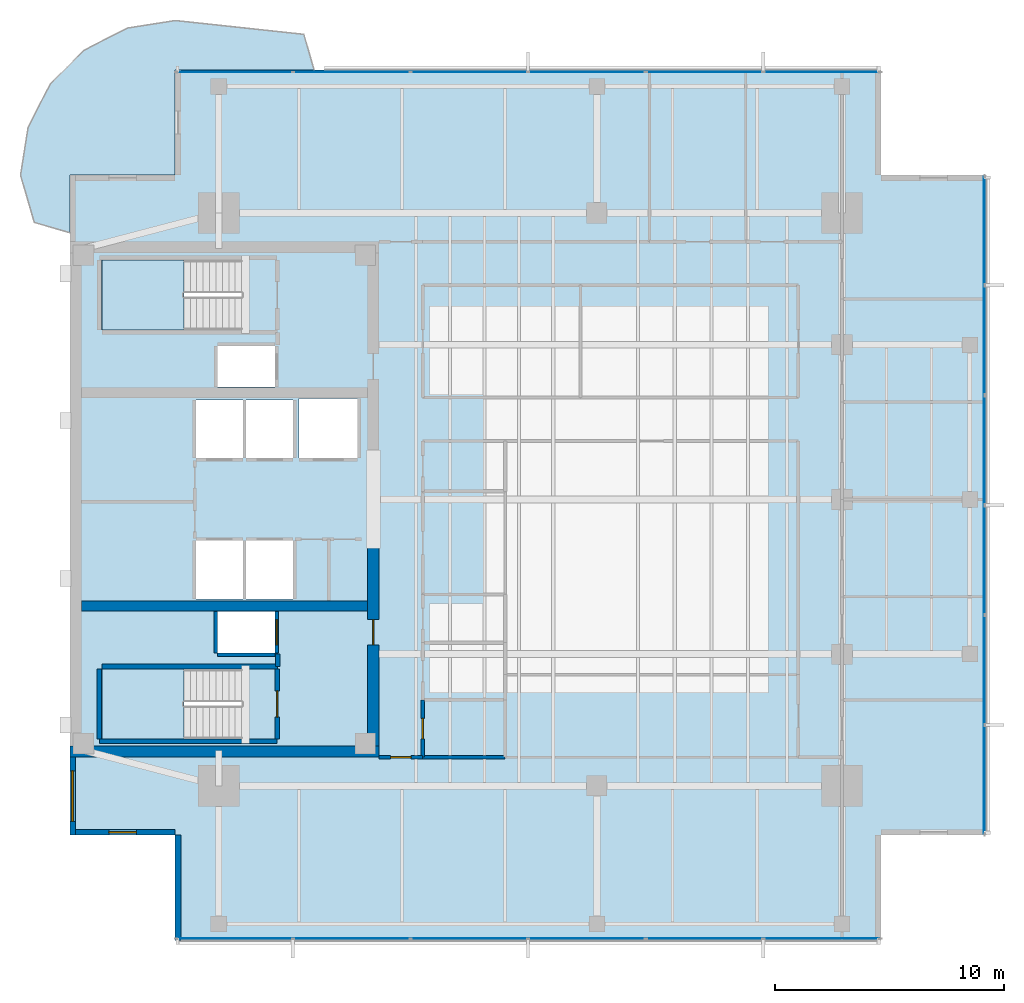
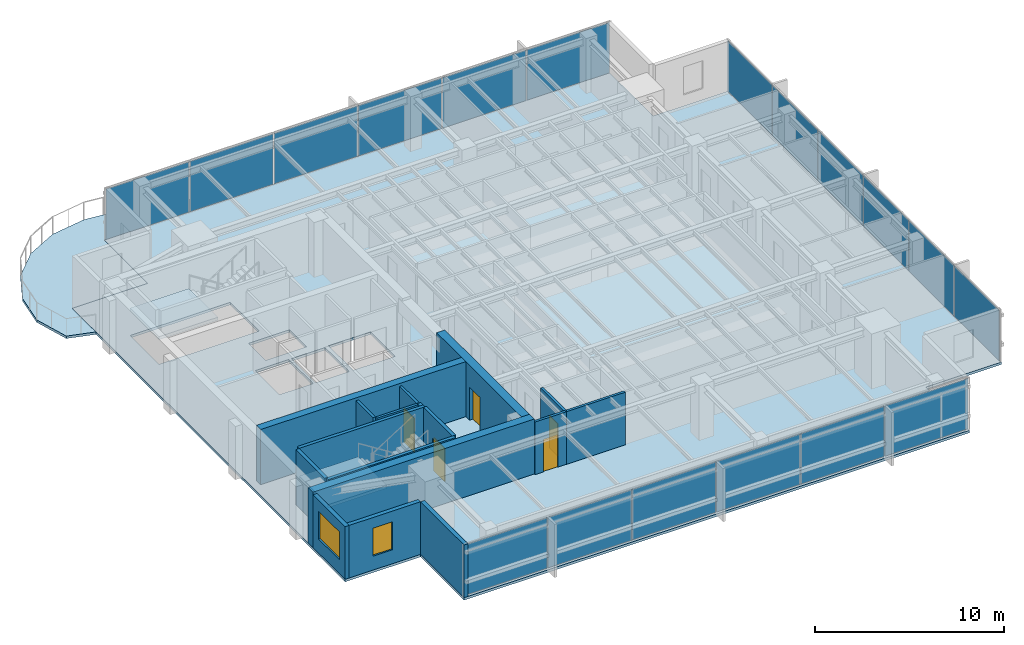
# One storey, part 6 of 13: 18 plates, 17 walls, 5 doors, 4 slabs, 2 windows, 7 openings, 5 elements without a shape of their own.
"""IFC4 building model written with IfcOpenShell, lengths in metres."""

import ifcopenshell
import ifcopenshell.guid

model = None  # the IFC model being written
_history = None  # IfcOwnerHistory: only IFC2X3 demands one
_inside = {}  # id of a spatial element -> (the spatial element, [elements in it])
_under = {}  # id of a project, library or spatial element -> (it, [spatial elements below it])
_declared = {}  # id of a project -> (the project, [libraries it declares])
_typed = {}  # id of a type object -> (the type object, [elements of that type])
_made_of = {}  # id of a material, layer set ... -> (it, [elements and type objects made of it])


def new_model(schema):
    """Start an empty IFC model of exactly this schema.

    Asked for "IFC4X3", IfcOpenShell would pick the latest addendum, in which some entities
    have other attributes; the version numbers below select the first issue.
    IFC2X3 requires an IfcOwnerHistory on every rooted entity: one is made here for all.
    """
    global model, _history
    if schema == "IFC4X3":
        model = ifcopenshell.file(schema_version=(4, 3, 0, 0))
    else:
        model = ifcopenshell.file(schema=schema)
    _inside.clear()
    _under.clear()
    _declared.clear()
    _typed.clear()
    _made_of.clear()
    _history = None
    if model.schema == "IFC2X3":
        org = make("IfcOrganization", Name="unknown")
        user = make(
            "IfcPersonAndOrganization",
            ThePerson=make("IfcPerson", FamilyName="unknown"),
            TheOrganization=org,
        )
        app = make(
            "IfcApplication",
            ApplicationDeveloper=org,
            Version="unknown",
            ApplicationFullName="unknown",
            ApplicationIdentifier="unknown",
        )
        _history = make(
            "IfcOwnerHistory",
            OwningUser=user,
            OwningApplication=app,
            ChangeAction="ADDED",
            CreationDate=0,
        )
    return model


def make(cls, **values):
    """One entity of the class cls with the attributes given. An attribute that is None is left unset."""
    return model.create_entity(
        cls, **{name: value for name, value in values.items() if value is not None}
    )


def rooted(cls, **values):
    """An entity with a GlobalId (a new one), such as an element, a storey or a relation."""
    return make(cls, GlobalId=ifcopenshell.guid.new(), OwnerHistory=_history, **values)


def si_unit(unit_type, name, prefix=None):
    """IfcSIUnit, for example si_unit("LENGTHUNIT", "METRE", prefix="MILLI")."""
    return make("IfcSIUnit", UnitType=unit_type, Prefix=prefix, Name=name)


def assignment(units):
    """IfcUnitAssignment: the units of a project."""
    return None if units is None else make("IfcUnitAssignment", Units=units)


def point(xyz):
    """IfcCartesianPoint."""
    return None if xyz is None else make("IfcCartesianPoint", Coordinates=xyz)


def direction(xyz):
    """IfcDirection."""
    return None if xyz is None else make("IfcDirection", DirectionRatios=xyz)


def frame(location, z_axis=None, x_axis=None):
    """IfcAxis2Placement3D, a coordinate frame: its origin and axes. An axis left out is left unset."""
    return make(
        "IfcAxis2Placement3D",
        Location=point(location),
        Axis=direction(z_axis),
        RefDirection=direction(x_axis),
    )


def frame_2d(location, x_axis=None):
    """IfcAxis2Placement2D, a coordinate frame in the plane: its origin and x axis."""
    return make(
        "IfcAxis2Placement2D", Location=point(location), RefDirection=direction(x_axis)
    )


def origin():
    """The frame at (0, 0, 0) with its axes left unset."""
    return frame((0.0, 0.0, 0.0))


def origin_2d():
    """The frame at (0, 0) in the plane with its x axis left unset."""
    return frame_2d((0.0, 0.0))


def place(relative_to, where):
    """IfcLocalPlacement: puts the frame where relative to a parent placement (None: the world)."""
    return make(
        "IfcLocalPlacement", PlacementRelTo=relative_to, RelativePlacement=where
    )


def context(
    kind, dimensions, precision=None, world=None, true_north=None, identifier=None
):
    """IfcGeometricRepresentationContext, for example the 3D "Model" context."""
    return make(
        "IfcGeometricRepresentationContext",
        ContextIdentifier=identifier,
        ContextType=kind,
        CoordinateSpaceDimension=dimensions,
        Precision=precision,
        WorldCoordinateSystem=world,
        TrueNorth=true_north,
    )


def subcontext(parent, identifier, kind, view, scale=None):
    """IfcGeometricRepresentationSubContext, for example "Body" below "Model"."""
    return make(
        "IfcGeometricRepresentationSubContext",
        ContextIdentifier=identifier,
        ContextType=kind,
        ParentContext=parent,
        TargetScale=scale,
        TargetView=view,
    )


def project(units=None, contexts=None):
    """IfcProject with its units and contexts."""
    return rooted(
        "IfcProject",
        Name="project",
        RepresentationContexts=contexts,
        UnitsInContext=assignment(units),
    )


def spatial(cls, under=None, at=None, **own):
    """A site, building, storey or space (cls), placed at a placement, below another one or the project."""
    s = rooted(cls, ObjectPlacement=at, **own)
    if under is not None:
        _under.setdefault(under.id(), (under, []))[1].append(s)
    return s


def polyline(points):
    """IfcPolyline through the points."""
    return make("IfcPolyline", Points=[point(p) for p in points])


def profile(cls, at=None, kind="AREA", **sizes):
    """A parametric profile (cls). Its sizes go by their IFC names, for example OverallWidth=200.0."""
    return make(cls, ProfileType=kind, Position=at, **sizes)


def rectangle(**sizes):
    """IfcRectangleProfileDef."""
    return profile("IfcRectangleProfileDef", **sizes)


def outline(outer, holes=None, kind="AREA"):
    """IfcArbitraryClosedProfileDef: a profile drawn as a closed curve; with holes, ...WithVoids."""
    if holes is None:
        return make("IfcArbitraryClosedProfileDef", ProfileType=kind, OuterCurve=outer)
    return make(
        "IfcArbitraryProfileDefWithVoids",
        ProfileType=kind,
        OuterCurve=outer,
        InnerCurves=holes,
    )


def extrude(swept, where, along, depth):
    """IfcExtrudedAreaSolid: the profile swept, set in the frame where, extruded along a direction by depth."""
    return make(
        "IfcExtrudedAreaSolid",
        SweptArea=swept,
        Position=where,
        ExtrudedDirection=direction(along),
        Depth=depth,
    )


def shape(context_of_items, identifier, shape_type, items):
    """IfcShapeRepresentation: the items that make up one representation, for example the "Body"."""
    return make(
        "IfcShapeRepresentation",
        ContextOfItems=context_of_items,
        RepresentationIdentifier=identifier,
        RepresentationType=shape_type,
        Items=items,
    )


def material(Name=None, Category=None):
    """IfcMaterial."""
    return make("IfcMaterial", Name=Name, Category=Category)


def layer(
    of_material, thickness, ventilated=None, Name=None, Category=None, Priority=None
):
    """IfcMaterialLayer: one layer of a wall or slab, of a material (None: an air gap)."""
    return make(
        "IfcMaterialLayer",
        Material=of_material,
        LayerThickness=thickness,
        IsVentilated=ventilated,
        Name=Name,
        Category=Category,
        Priority=Priority,
    )


def layer_set(layers, Name=None):
    """IfcMaterialLayerSet."""
    return make("IfcMaterialLayerSet", MaterialLayers=layers, LayerSetName=Name)


def made_of(thing, what):
    """Note that an element or type object is made of a material, layer set ...; save() writes the relation."""
    if what is not None:
        _made_of.setdefault(what.id(), (what, []))[1].append(thing)
    return thing


def type_object(cls, material=None, **own):
    """A type object (cls), such as IfcWallType, which elements share."""
    return made_of(rooted(cls, **own), material)


def element(
    cls,
    number,
    at=None,
    inside=None,
    cuts=None,
    type_object=None,
    material=None,
    context=None,
    identifier="Body",
    shape_type=None,
    held_by="IfcProductDefinitionShape",
    body=None,
    shapes=None,
    **own,
):
    """One element of the class cls, such as IfcWall. Its Tag is "e" and its number.

    at: its placement. inside: the storey or other place that contains it. cuts: it is an
    opening in that element (IfcRelVoidsElement). A single representation is given by context,
    identifier, shape_type and body (its items); several are given by shapes. held_by: the class
    of the entity that holds the representations. save() writes the other relations.
    """
    e = rooted(cls, Tag="e%d" % number, ObjectPlacement=at, **own)
    if body is not None:
        shapes = [shape(context, identifier, shape_type, body)]
    if shapes is not None:
        e.Representation = make(held_by, Representations=shapes)
    if inside is not None:
        _inside.setdefault(inside.id(), (inside, []))[1].append(e)
    if cuts is not None:
        rooted(
            "IfcRelVoidsElement", RelatingBuildingElement=cuts, RelatedOpeningElement=e
        )
    if type_object is not None:
        _typed.setdefault(type_object.id(), (type_object, []))[1].append(e)
    return made_of(e, material)


def fill(opening, filler):
    """IfcRelFillsElement: the door or window that sits in an opening."""
    return rooted(
        "IfcRelFillsElement",
        RelatingOpeningElement=opening,
        RelatedBuildingElement=filler,
    )


def aggregate(whole, parts):
    """IfcRelAggregates: a whole, such as a stair, and the parts it consists of."""
    return rooted("IfcRelAggregates", RelatingObject=whole, RelatedObjects=parts)


def save(model, path):
    """Write the relations noted so far, then the file.

    IfcRelAggregates (storeys below a building ...), IfcRelContainedInSpatialStructure (elements
    in a storey), IfcRelDefinesByType, IfcRelAssociatesMaterial and IfcRelDeclares: one each for
    every whole, place, type object, material and project.
    """
    for whole, parts in _under.values():
        aggregate(whole, parts)
    for where, things in _inside.values():
        rooted(
            "IfcRelContainedInSpatialStructure",
            RelatedElements=things,
            RelatingStructure=where,
        )
    for kind, things in _typed.values():
        rooted("IfcRelDefinesByType", RelatedObjects=things, RelatingType=kind)
    for what, things in _made_of.values():
        rooted("IfcRelAssociatesMaterial", RelatedObjects=things, RelatingMaterial=what)
    for by, libraries in _declared.values():
        rooted("IfcRelDeclares", RelatingContext=by, RelatedDefinitions=libraries)
    model.write(path)


model = new_model("IFC4")

# Units and contexts
model_context = context("Model", 3, precision=1e-05, world=origin(), true_north=direction((0.0, 1.0)))
body_context = subcontext(model_context, "Body", "Model", "MODEL_VIEW")
ifc_project = project(units=[si_unit("LENGTHUNIT", "METRE"), si_unit("AREAUNIT", "SQUARE_METRE"), si_unit("VOLUMEUNIT", "CUBIC_METRE"), si_unit("PLANEANGLEUNIT", "RADIAN"), si_unit("MASSUNIT", "GRAM", prefix="KILO")], contexts=[model_context])

# Site, building, storey
site_placement = place(None, origin())
site = spatial("IfcSite", under=ifc_project, at=site_placement, CompositionType="ELEMENT")
building_placement = place(site_placement, origin())
building = spatial("IfcBuilding", under=site, at=building_placement, Name="Kinhvarn Gate Tower", CompositionType="ELEMENT")
storey_placement = place(building_placement, frame((0.0, 0.0, 288.300048828125)))
storey = spatial("IfcBuildingStorey", under=building, at=storey_placement, Name="L77", CompositionType="ELEMENT", Elevation=288.300048828125)

# Curtain wall, plates
ifc_material_1 = material(Name="Anodised aluminium AW-6063", Category="aluminium")
ifc_layer_1 = layer(ifc_material_1, 0.179931640625)
ifc_layer_set_1 = layer_set([ifc_layer_1], Name="Anodised aluminium AW-6063")
curtain_wall_type = type_object("IfcCurtainWallType", Name="CW-SYS-3", PredefinedType="NOTDEFINED", material=ifc_layer_set_1)
curtain_wall_1_placement = place(storey_placement, origin())
curtain_wall_1 = element("IfcCurtainWall", 1, at=curtain_wall_1_placement, inside=storey, type_object=curtain_wall_type, Name="Curtain Wall CW3 (L77)", PredefinedType="NOTDEFINED")
ifc_material_2 = material(Name="Clear low-e double glazing", Category="glass")
ifc_layer_2 = layer(ifc_material_2, 0.031982421875)
ifc_layer_set_2 = layer_set([ifc_layer_2], Name="Clear low-e double glazing")
plate_type = type_object("IfcPlateType", Name="CW-PNL-VIS", PredefinedType="CURTAIN_PANEL", material=ifc_layer_set_2)
plate_1_placement = place(storey_placement, frame((11.682861328125, 6.090087890625, 0.070068359375), z_axis=(0.0, 0.0, 1.0), x_axis=(1.0, 0.0, 0.0)))
plate_1 = element("IfcPlate", 2, at=plate_1_placement, type_object=plate_type, Name="CW3 panel 1.1", PredefinedType="CURTAIN_PANEL", context=body_context, shape_type="SweptSolid", body=[
    extrude(rectangle(XDim=5.035888671875, YDim=0.031982421875, at=origin_2d()), origin(), (0.0, 0.0, 1.0), 3.25),
])
plate_2_placement = place(storey_placement, frame((16.800048828125, 6.090087890625, 0.070068359375), z_axis=(0.0, 0.0, 1.0), x_axis=(1.0, 0.0, 0.0)))
plate_2 = element("IfcPlate", 3, at=plate_2_placement, type_object=plate_type, Name="CW3 panel 2.1", PredefinedType="CURTAIN_PANEL", context=body_context, shape_type="SweptSolid", body=[
    extrude(rectangle(XDim=5.068359375, YDim=0.031982421875, at=origin_2d()), origin(), (0.0, 0.0, 1.0), 3.25),
])
plate_3_placement = place(storey_placement, frame((21.933349609375, 6.090087890625, 0.070068359375), z_axis=(0.0, 0.0, 1.0), x_axis=(1.0, 0.0, 0.0)))
plate_3 = element("IfcPlate", 4, at=plate_3_placement, type_object=plate_type, Name="CW3 panel 3.1", PredefinedType="CURTAIN_PANEL", context=body_context, shape_type="SweptSolid", body=[
    extrude(rectangle(XDim=5.068359375, YDim=0.031982421875, at=origin_2d()), origin(), (0.0, 0.0, 1.0), 3.25),
])
plate_4_placement = place(storey_placement, frame((27.066650390625, 6.090087890625, 0.070068359375), z_axis=(0.0, 0.0, 1.0), x_axis=(1.0, 0.0, 0.0)))
plate_4 = element("IfcPlate", 5, at=plate_4_placement, type_object=plate_type, Name="CW3 panel 4.1", PredefinedType="CURTAIN_PANEL", context=body_context, shape_type="SweptSolid", body=[
    extrude(rectangle(XDim=5.068359375, YDim=0.031982421875, at=origin_2d()), origin(), (0.0, 0.0, 1.0), 3.25),
])
plate_5_placement = place(storey_placement, frame((32.199951171875, 6.090087890625, 0.070068359375), z_axis=(0.0, 0.0, 1.0), x_axis=(1.0, 0.0, 0.0)))
plate_5 = element("IfcPlate", 6, at=plate_5_placement, type_object=plate_type, Name="CW3 panel 5.1", PredefinedType="CURTAIN_PANEL", context=body_context, shape_type="SweptSolid", body=[
    extrude(rectangle(XDim=5.068359375, YDim=0.031982421875, at=origin_2d()), origin(), (0.0, 0.0, 1.0), 3.25),
])
plate_6_placement = place(storey_placement, frame((37.317138671875, 6.090087890625, 0.070068359375), z_axis=(0.0, 0.0, 1.0), x_axis=(1.0, 0.0, 0.0)))
plate_6 = element("IfcPlate", 7, at=plate_6_placement, type_object=plate_type, Name="CW3 panel 6.1", PredefinedType="CURTAIN_PANEL", context=body_context, shape_type="SweptSolid", body=[
    extrude(rectangle(XDim=5.035888671875, YDim=0.031982421875, at=origin_2d()), origin(), (0.0, 0.0, 1.0), 3.25),
])
aggregate(curtain_wall_1, [plate_1, plate_2, plate_3, plate_4, plate_5, plate_6])

curtain_wall_2_placement = place(storey_placement, origin())
curtain_wall_2 = element("IfcCurtainWall", 8, at=curtain_wall_2_placement, inside=storey, type_object=curtain_wall_type, Name="Curtain Wall CW3 (L77)", PredefinedType="NOTDEFINED")
plate_7_placement = place(storey_placement, frame((37.317138671875, 43.909912109375, 0.070068359375), z_axis=(0.0, 0.0, 1.0), x_axis=(-1.0, 0.0, 0.0)))
plate_7 = element("IfcPlate", 9, at=plate_7_placement, type_object=plate_type, Name="CW3 panel 1.1", PredefinedType="CURTAIN_PANEL", context=body_context, shape_type="SweptSolid", body=[
    extrude(rectangle(XDim=5.035888671875, YDim=0.031982421875, at=origin_2d()), origin(), (0.0, 0.0, 1.0), 3.25),
])
plate_8_placement = place(storey_placement, frame((32.199951171875, 43.909912109375, 0.070068359375), z_axis=(0.0, 0.0, 1.0), x_axis=(-1.0, 0.0, 0.0)))
plate_8 = element("IfcPlate", 10, at=plate_8_placement, type_object=plate_type, Name="CW3 panel 2.1", PredefinedType="CURTAIN_PANEL", context=body_context, shape_type="SweptSolid", body=[
    extrude(rectangle(XDim=5.068359375, YDim=0.031982421875, at=origin_2d()), origin(), (0.0, 0.0, 1.0), 3.25),
])
plate_9_placement = place(storey_placement, frame((27.066650390625, 43.909912109375, 0.070068359375), z_axis=(0.0, 0.0, 1.0), x_axis=(-1.0, 0.0, 0.0)))
plate_9 = element("IfcPlate", 11, at=plate_9_placement, type_object=plate_type, Name="CW3 panel 3.1", PredefinedType="CURTAIN_PANEL", context=body_context, shape_type="SweptSolid", body=[
    extrude(rectangle(XDim=5.068359375, YDim=0.031982421875, at=origin_2d()), origin(), (0.0, 0.0, 1.0), 3.25),
])
plate_10_placement = place(storey_placement, frame((21.933349609375, 43.909912109375, 0.070068359375), z_axis=(0.0, 0.0, 1.0), x_axis=(-1.0, 0.0, 0.0)))
plate_10 = element("IfcPlate", 12, at=plate_10_placement, type_object=plate_type, Name="CW3 panel 4.1", PredefinedType="CURTAIN_PANEL", context=body_context, shape_type="SweptSolid", body=[
    extrude(rectangle(XDim=5.068359375, YDim=0.031982421875, at=origin_2d()), origin(), (0.0, 0.0, 1.0), 3.25),
])
plate_11_placement = place(storey_placement, frame((16.800048828125, 43.909912109375, 0.070068359375), z_axis=(0.0, 0.0, 1.0), x_axis=(-1.0, 0.0, 0.0)))
plate_11 = element("IfcPlate", 13, at=plate_11_placement, type_object=plate_type, Name="CW3 panel 5.1", PredefinedType="CURTAIN_PANEL", context=body_context, shape_type="SweptSolid", body=[
    extrude(rectangle(XDim=5.068359375, YDim=0.031982421875, at=origin_2d()), origin(), (0.0, 0.0, 1.0), 3.25),
])
plate_12_placement = place(storey_placement, frame((11.682861328125, 43.909912109375, 0.070068359375), z_axis=(0.0, 0.0, 1.0), x_axis=(-1.0, 0.0, 0.0)))
plate_12 = element("IfcPlate", 14, at=plate_12_placement, type_object=plate_type, Name="CW3 panel 6.1", PredefinedType="CURTAIN_PANEL", context=body_context, shape_type="SweptSolid", body=[
    extrude(rectangle(XDim=5.035888671875, YDim=0.031982421875, at=origin_2d()), origin(), (0.0, 0.0, 1.0), 3.25),
])
aggregate(curtain_wall_2, [plate_7, plate_8, plate_9, plate_10, plate_11, plate_12])

curtain_wall_3_placement = place(storey_placement, origin())
curtain_wall_3 = element("IfcCurtainWall", 15, at=curtain_wall_3_placement, inside=storey, type_object=curtain_wall_type, Name="Curtain Wall CW3 (L77)", PredefinedType="NOTDEFINED")
plate_13_placement = place(storey_placement, frame((44.409912109375, 13.016357421875, 0.070068359375), z_axis=(0.0, 0.0, 1.0), x_axis=(0.0, 1.0, 0.0)))
plate_13 = element("IfcPlate", 16, at=plate_13_placement, type_object=plate_type, Name="CW3 panel 1.1", PredefinedType="CURTAIN_PANEL", context=body_context, shape_type="SweptSolid", body=[
    extrude(rectangle(XDim=4.702392578125, YDim=0.031982421875, at=origin_2d()), origin(), (0.0, 0.0, 1.0), 3.25),
])
plate_14_placement = place(storey_placement, frame((44.409912109375, 17.800048828125, 0.070068359375), z_axis=(0.0, 0.0, 1.0), x_axis=(0.0, 1.0, 0.0)))
plate_14 = element("IfcPlate", 17, at=plate_14_placement, type_object=plate_type, Name="CW3 panel 2.1", PredefinedType="CURTAIN_PANEL", context=body_context, shape_type="SweptSolid", body=[
    extrude(rectangle(XDim=4.735107421875, YDim=0.031982421875, at=origin_2d()), origin(), (0.0, 0.0, 1.0), 3.25),
])
plate_15_placement = place(storey_placement, frame((44.409912109375, 22.60009765625, 0.070068359375), z_axis=(0.0, 0.0, 1.0), x_axis=(0.0, 1.0, 0.0)))
plate_15 = element("IfcPlate", 18, at=plate_15_placement, type_object=plate_type, Name="CW3 panel 3.1", PredefinedType="CURTAIN_PANEL", context=body_context, shape_type="SweptSolid", body=[
    extrude(rectangle(XDim=4.735107421875, YDim=0.031982421875, at=origin_2d()), origin(), (0.0, 0.0, 1.0), 3.25),
])
plate_16_placement = place(storey_placement, frame((44.409912109375, 27.39990234375, 0.070068359375), z_axis=(0.0, 0.0, 1.0), x_axis=(0.0, 1.0, 0.0)))
plate_16 = element("IfcPlate", 19, at=plate_16_placement, type_object=plate_type, Name="CW3 panel 4.1", PredefinedType="CURTAIN_PANEL", context=body_context, shape_type="SweptSolid", body=[
    extrude(rectangle(XDim=4.735107421875, YDim=0.031982421875, at=origin_2d()), origin(), (0.0, 0.0, 1.0), 3.25),
])
plate_17_placement = place(storey_placement, frame((44.409912109375, 32.199951171875, 0.070068359375), z_axis=(0.0, 0.0, 1.0), x_axis=(0.0, 1.0, 0.0)))
plate_17 = element("IfcPlate", 20, at=plate_17_placement, type_object=plate_type, Name="CW3 panel 5.1", PredefinedType="CURTAIN_PANEL", context=body_context, shape_type="SweptSolid", body=[
    extrude(rectangle(XDim=4.735107421875, YDim=0.031982421875, at=origin_2d()), origin(), (0.0, 0.0, 1.0), 3.25),
])
plate_18_placement = place(storey_placement, frame((44.409912109375, 36.983642578125, 0.070068359375), z_axis=(0.0, 0.0, 1.0), x_axis=(0.0, 1.0, 0.0)))
plate_18 = element("IfcPlate", 21, at=plate_18_placement, type_object=plate_type, Name="CW3 panel 6.1", PredefinedType="CURTAIN_PANEL", context=body_context, shape_type="SweptSolid", body=[
    extrude(rectangle(XDim=4.702392578125, YDim=0.031982421875, at=origin_2d()), origin(), (0.0, 0.0, 1.0), 3.25),
])
aggregate(curtain_wall_3, [plate_13, plate_14, plate_15, plate_16, plate_17, plate_18])

# Slabs
ifc_material_3 = material(Name="Precast white architectural concrete C40/50", Category="concrete")
ifc_layer_3 = layer(ifc_material_3, 0.159912109375)
ifc_layer_set_3 = layer_set([ifc_layer_3], Name="Precast white architectural concrete C40/50")
slab_type_1 = type_object("IfcSlabType", Name="SLB-BAL-160", PredefinedType="FLOOR", material=ifc_layer_set_3)
slab_1_placement = place(storey_placement, frame((0.0, 0.0, -0.16015625)))
element("IfcSlab", 22, at=slab_1_placement, inside=storey, type_object=slab_type_1, Name="S-Carve Curved Terrace Balcony Slab L77 (NW)", PredefinedType="FLOOR", context=body_context, shape_type="SweptSolid", body=[
    extrude(outline(polyline([(15.159912109375, 44.0), (14.7099609375, 45.548095703125), (9.10009765625, 46.14990234375), (7.01416015625, 45.819580078125), (5.13232421875, 44.86083984375), (3.63916015625, 43.36767578125), (2.680419921875, 41.48583984375), (2.35009765625, 39.39990234375), (2.951904296875, 37.341064453125), (4.5, 36.89111328125), (4.5, 39.39990234375), (9.10009765625, 39.39990234375), (9.10009765625, 44.0), (15.159912109375, 44.0)])), origin(), (0.0, 0.0, 1.0), 0.16015625),
])
ifc_material_4 = material(Name="Concrete C40/50", Category="concrete")
ifc_layer_4 = layer(ifc_material_4, 0.159912109375)
ifc_layer_set_4 = layer_set([ifc_layer_4], Name="Concrete C40/50")
slab_type_2 = type_object("IfcSlabType", Name="SLB-FLR-160", PredefinedType="FLOOR", material=ifc_layer_set_4)
slab_2_placement = place(storey_placement, frame((0.0, 0.0, -0.16015625)))
element("IfcSlab", 23, at=slab_2_placement, inside=storey, type_object=slab_type_2, Name="Suspended Floor Slab L77", PredefinedType="FLOOR", context=body_context, shape_type="SweptSolid", body=[
    extrude(outline(polyline([(9.10009765625, 6.0), (39.89990234375, 6.0), (39.89990234375, 10.60009765625), (44.5, 10.60009765625), (44.5, 39.39990234375), (39.89990234375, 39.39990234375), (39.89990234375, 44.0), (9.10009765625, 44.0), (9.10009765625, 39.39990234375), (4.5, 39.39990234375), (4.5, 10.60009765625), (9.10009765625, 10.60009765625), (9.10009765625, 6.0)]), holes=[polyline([(5.89990234375, 14.800048828125), (12.0, 14.800048828125), (12.0, 17.85009765625), (5.89990234375, 17.85009765625), (5.89990234375, 14.800048828125)]), polyline([(5.89990234375, 32.64990234375), (12.0, 32.64990234375), (12.0, 35.699951171875), (5.89990234375, 35.699951171875), (5.89990234375, 32.64990234375)]), polyline([(10.0, 20.89990234375), (12.050048828125, 20.89990234375), (12.050048828125, 23.449951171875), (10.0, 23.449951171875), (10.0, 20.89990234375)]), polyline([(12.199951171875, 20.89990234375), (14.25, 20.89990234375), (14.25, 23.449951171875), (12.199951171875, 23.449951171875), (12.199951171875, 20.89990234375)]), polyline([(10.0, 27.050048828125), (12.050048828125, 27.050048828125), (12.050048828125, 29.60009765625), (10.0, 29.60009765625), (10.0, 27.050048828125)]), polyline([(12.199951171875, 27.050048828125), (14.25, 27.050048828125), (14.25, 29.60009765625), (12.199951171875, 29.60009765625), (12.199951171875, 27.050048828125)]), polyline([(14.5, 27.050048828125), (17.050048828125, 27.050048828125), (17.050048828125, 29.64990234375), (14.5, 29.64990234375), (14.5, 27.050048828125)]), polyline([(10.949951171875, 18.550048828125), (13.449951171875, 18.550048828125), (13.449951171875, 20.35009765625), (10.949951171875, 20.35009765625), (10.949951171875, 18.550048828125)]), polyline([(10.949951171875, 30.14990234375), (13.449951171875, 30.14990234375), (13.449951171875, 31.949951171875), (10.949951171875, 31.949951171875), (10.949951171875, 30.14990234375)])]), origin(), (0.0, 0.0, 1.0), 0.16015625),
])

# Stair, slab
stair_type = type_object("IfcStairType", Name="STR-DLG-178", PredefinedType="HALF_TURN_STAIR", material=ifc_material_4)
stair_1_placement = place(storey_placement, origin())
stair_1 = element("IfcStair", 24, at=stair_1_placement, inside=storey, type_object=stair_type, Name="L77 Core Smokeproof Exit Stair ST1", PredefinedType="HALF_TURN_STAIR")
ifc_layer_5 = layer(ifc_material_4, 0.199951171875)
ifc_layer_set_5 = layer_set([ifc_layer_5], Name="Concrete C40/50")
slab_type_3 = type_object("IfcSlabType", Name="SLB-ST-LND", PredefinedType="LANDING", material=ifc_layer_set_5)
slab_3_placement = place(storey_placement, frame((0.0, 0.0, 1.574951171875)))
slab_3 = element("IfcSlab", 25, at=slab_3_placement, type_object=slab_type_3, Name="ST1 landing 1", PredefinedType="LANDING", context=body_context, shape_type="SweptSolid", body=[
    extrude(outline(polyline([(9.47998046875, 17.85009765625), (5.89990234375, 17.85009765625), (5.89990234375, 14.800048828125), (9.47998046875, 14.800048828125), (9.47998046875, 17.85009765625)])), origin(), (0.0, 0.0, 1.0), 0.199951171875),
])
aggregate(stair_1, [slab_3])

stair_2_placement = place(storey_placement, origin())
stair_2 = element("IfcStair", 26, at=stair_2_placement, inside=storey, type_object=stair_type, Name="L77 Core Smokeproof Exit Stair ST2", PredefinedType="HALF_TURN_STAIR")
slab_4_placement = place(storey_placement, frame((0.0, 0.0, 1.574951171875)))
slab_4 = element("IfcSlab", 27, at=slab_4_placement, type_object=slab_type_3, Name="ST2 landing 1", PredefinedType="LANDING", context=body_context, shape_type="SweptSolid", body=[
    extrude(outline(polyline([(9.47998046875, 35.699951171875), (5.89990234375, 35.699951171875), (5.89990234375, 32.64990234375), (9.47998046875, 32.64990234375), (9.47998046875, 35.699951171875)])), origin(), (0.0, 0.0, 1.0), 0.199951171875),
])
aggregate(stair_2, [slab_4])

# Walls
ifc_material_5 = material(Name="Concrete C50/60", Category="concrete")
ifc_layer_6 = layer(ifc_material_5, 0.449951171875)
ifc_layer_set_6 = layer_set([ifc_layer_6], Name="Concrete C50/60")
wall_type_1 = type_object("IfcWallType", Name="WL-CORE-450", PredefinedType="SHEAR", material=ifc_layer_set_6)
wall_1_placement = place(storey_placement, frame((5.0, 20.60009765625, 0.0), z_axis=(0.0, 0.0, 1.0), x_axis=(1.0, 0.0, 0.0)))
element("IfcWall", 28, at=wall_1_placement, inside=storey, type_object=wall_type_1, Name="Core South Spine Shear Wall L77 450 mm", PredefinedType="SHEAR", context=body_context, shape_type="SweptSolid", body=[
    extrude(rectangle(XDim=12.5, YDim=0.449951171875, at=frame_2d((6.25, 0.0))), origin(), (0.0, 0.0, 1.0), 3.550048828125),
])
ifc_layer_7 = layer(ifc_material_5, 0.5)
ifc_layer_set_7 = layer_set([ifc_layer_7], Name="Concrete C50/60")
wall_type_2 = type_object("IfcWallType", Name="WL-CORE-500", PredefinedType="SHEAR", material=ifc_layer_set_7)
wall_2_placement = place(storey_placement, frame((4.5, 14.25, 0.0), z_axis=(0.0, 0.0, 1.0), x_axis=(1.0, 0.0, 0.0)))
element("IfcWall", 29, at=wall_2_placement, inside=storey, type_object=wall_type_2, Name="Core South Shear Wall L77 500 mm", PredefinedType="SHEAR", context=body_context, shape_type="SweptSolid", body=[
    extrude(rectangle(XDim=13.5, YDim=0.5, at=frame_2d((6.75, 0.0))), origin(), (0.0, 0.0, 1.0), 3.550048828125),
])

# Wall, opening, door
wall_3_placement = place(storey_placement, frame((17.75, 14.5, 0.0), z_axis=(0.0, 0.0, 1.0), x_axis=(0.0, 1.0, 0.0)))
wall_3 = element("IfcWall", 30, at=wall_3_placement, inside=storey, type_object=wall_type_2, Name="Core East-South Shear Pier L77 500 mm", PredefinedType="SHEAR", context=body_context, shape_type="SweptSolid", body=[
    extrude(rectangle(XDim=8.949951171875, YDim=0.5, at=frame_2d((4.47509765625, 0.0))), origin(), (0.0, 0.0, 1.0), 3.550048828125),
])
opening_1_placement = place(wall_3_placement, frame((4.39990234375, 0.0, 0.0)))
opening_1 = element("IfcOpeningElement", 31, at=opening_1_placement, cuts=wall_3, Name="Opening FD-02", PredefinedType="OPENING", context=body_context, shape_type="SweptSolid", body=[
    extrude(rectangle(XDim=1.10009765625, YDim=2.14990234375, at=frame_2d((0.550048828125, 1.074951171875))), frame((0.0, 0.260009765625, 0.0), z_axis=(0.0, -1.0, 0.0), x_axis=(1.0, 0.0, 0.0)), (0.0, 0.0, 1.0), 0.52001953125),
])
door_type_1 = type_object("IfcDoorType", Name="DR-FD-1100", OperationType="NOTDEFINED", PredefinedType="DOOR", material=ifc_material_1)
door_1_placement = place(opening_1_placement, origin())
door_1 = element("IfcDoor", 32, at=door_1_placement, inside=storey, type_object=door_type_1, Name="Firefighting Lobby Core Door (L77)", OperationType="SINGLE_SWING_RIGHT", OverallHeight=2.14990234375, OverallWidth=1.10009765625, PredefinedType="DOOR", context=body_context, shape_type="SweptSolid", body=[
    extrude(rectangle(XDim=1.10009765625, YDim=2.14990234375, at=frame_2d((0.550048828125, 1.074951171875))), frame((0.0, 0.02490234375, 0.0), z_axis=(0.0, -1.0, 0.0), x_axis=(1.0, 0.0, 0.0)), (0.0, 0.0, 1.0), 0.050048828125),
])
fill(opening_1, door_1)

# Wall, opening, window
ifc_material_6 = material(Name="Fired architectural terracotta", Category="masonry")
ifc_layer_8 = layer(ifc_material_6, 0.25)
ifc_layer_set_8 = layer_set([ifc_layer_8], Name="Fired architectural terracotta")
wall_type_3 = type_object("IfcWallType", Name="WL-EXT-250", PredefinedType="SOLIDWALL", material=ifc_layer_set_8)
wall_4_placement = place(storey_placement, frame((4.625, 14.0, 0.0), z_axis=(0.0, 0.0, 1.0), x_axis=(0.0, -1.0, 0.0)))
wall_4 = element("IfcWall", 33, at=wall_4_placement, inside=storey, type_object=wall_type_3, Name="Exterior Solidwall Wall EW-250 (L77 West-South)", PredefinedType="SOLIDWALL", context=body_context, shape_type="SweptSolid", body=[
    extrude(rectangle(XDim=3.39990234375, YDim=0.25, at=frame_2d((1.699951171875, 0.0))), origin(), (0.0, 0.0, 1.0), 3.389892578125),
])
opening_2_placement = place(wall_4_placement, frame((0.60009765625, 0.0, 0.89990234375)))
opening_2 = element("IfcOpeningElement", 34, at=opening_2_placement, cuts=wall_4, Name="Opening WN-01", PredefinedType="OPENING", context=body_context, shape_type="SweptSolid", body=[
    extrude(rectangle(XDim=2.199951171875, YDim=1.800048828125, at=frame_2d((1.10009765625, 0.89990234375))), frame((0.0, 0.135009765625, 0.0), z_axis=(0.0, -1.0, 0.0), x_axis=(1.0, 0.0, 0.0)), (0.0, 0.0, 1.0), 0.27001953125),
])
window_type_1 = type_object("IfcWindowType", Name="WIN-RIB-2200", PartitioningType="SINGLE_PANEL", PredefinedType="WINDOW", material=ifc_material_2)
window_1_placement = place(opening_2_placement, origin())
window_1 = element("IfcWindow", 35, at=window_1_placement, inside=storey, type_object=window_type_1, Name="West Flank Double-Glazed Ribbon Window 2200x1800 mm (L77)", OverallHeight=1.800048828125, OverallWidth=2.199951171875, PartitioningType="SINGLE_PANEL", PredefinedType="WINDOW", context=body_context, shape_type="SweptSolid", body=[
    extrude(rectangle(XDim=2.199951171875, YDim=1.800048828125, at=frame_2d((1.10009765625, 0.89990234375))), frame((0.0, 0.030029296875, 0.0), z_axis=(0.0, -1.0, 0.0), x_axis=(1.0, 0.0, 0.0)), (0.0, 0.0, 1.0), 0.06005859375),
])
fill(opening_2, window_1)

wall_5_placement = place(storey_placement, frame((4.5, 10.72509765625, 0.0), z_axis=(0.0, 0.0, 1.0), x_axis=(1.0, 0.0, 0.0)))
wall_5 = element("IfcWall", 36, at=wall_5_placement, inside=storey, type_object=wall_type_3, Name="Exterior Solidwall Wall EW-250 (L77 SW-Notch-1)", PredefinedType="SOLIDWALL", context=body_context, shape_type="SweptSolid", body=[
    extrude(rectangle(XDim=4.60009765625, YDim=0.25, at=frame_2d((2.300048828125, 0.0))), origin(), (0.0, 0.0, 1.0), 3.389892578125),
])
opening_3_placement = place(wall_5_placement, frame((1.699951171875, 0.0, 0.89990234375)))
opening_3 = element("IfcOpeningElement", 37, at=opening_3_placement, cuts=wall_5, Name="Opening WN-02", PredefinedType="OPENING", context=body_context, shape_type="SweptSolid", body=[
    extrude(rectangle(XDim=1.199951171875, YDim=1.800048828125, at=frame_2d((0.60009765625, 0.89990234375))), frame((0.0, 0.135009765625, 0.0), z_axis=(0.0, -1.0, 0.0), x_axis=(1.0, 0.0, 0.0)), (0.0, 0.0, 1.0), 0.27001953125),
])
window_type_2 = type_object("IfcWindowType", Name="WIN-NTC-1200", PartitioningType="SINGLE_PANEL", PredefinedType="WINDOW", material=ifc_material_2)
window_2_placement = place(opening_3_placement, origin())
window_2 = element("IfcWindow", 38, at=window_2_placement, inside=storey, type_object=window_type_2, Name="Recessed Corner Notch Punched Window 1200x1800 mm (L77)", OverallHeight=1.800048828125, OverallWidth=1.199951171875, PartitioningType="SINGLE_PANEL", PredefinedType="WINDOW", context=body_context, shape_type="SweptSolid", body=[
    extrude(rectangle(XDim=1.199951171875, YDim=1.800048828125, at=frame_2d((0.60009765625, 0.89990234375))), frame((0.0, 0.030029296875, 0.0), z_axis=(0.0, -1.0, 0.0), x_axis=(1.0, 0.0, 0.0)), (0.0, 0.0, 1.0), 0.06005859375),
])
fill(opening_3, window_2)

# Walls
wall_6_placement = place(storey_placement, frame((9.22509765625, 10.60009765625, 0.0), z_axis=(0.0, 0.0, 1.0), x_axis=(0.0, -1.0, 0.0)))
element("IfcWall", 39, at=wall_6_placement, inside=storey, type_object=wall_type_3, Name="Exterior Solidwall Wall EW-250 (L77 SW-Notch-2)", PredefinedType="SOLIDWALL", context=body_context, shape_type="SweptSolid", body=[
    extrude(rectangle(XDim=4.60009765625, YDim=0.25, at=frame_2d((2.300048828125, 0.0))), origin(), (0.0, 0.0, 1.0), 3.389892578125),
])
ifc_material_7 = material(Name="Gypsum acoustic partition board")
ifc_layer_9 = layer(ifc_material_7, 0.14990234375)
ifc_layer_set_9 = layer_set([ifc_layer_9], Name="Gypsum acoustic partition board")
wall_type_4 = type_object("IfcWallType", Name="WL-PLM-150", PredefinedType="PLUMBINGWALL", material=ifc_layer_set_9)
wall_7_placement = place(storey_placement, frame((19.89990234375, 14.0, 0.0), z_axis=(0.0, 0.0, 1.0), x_axis=(1.0, 0.0, 0.0)))
element("IfcWall", 40, at=wall_7_placement, inside=storey, type_object=wall_type_4, Name="Interior Partition PLW-150 (L77)", PredefinedType="PLUMBINGWALL", context=body_context, shape_type="SweptSolid", body=[
    extrude(rectangle(XDim=3.60009765625, YDim=0.14990234375, at=frame_2d((1.800048828125, 0.0))), origin(), (0.0, 0.0, 1.0), 3.389892578125),
])

# Wall, opening, door
ifc_layer_10 = layer(ifc_material_7, 0.14990234375)
ifc_layer_set_10 = layer_set([ifc_layer_10], Name="Gypsum acoustic partition board")
wall_type_5 = type_object("IfcWallType", Name="WL-PLM-150F", PredefinedType="PLUMBINGWALL", material=ifc_layer_set_10)
wall_8_placement = place(storey_placement, frame((19.89990234375, 14.0, 0.0), z_axis=(0.0, 0.0, 1.0), x_axis=(0.0, 1.0, 0.0)))
wall_8 = element("IfcWall", 41, at=wall_8_placement, inside=storey, type_object=wall_type_5, Name="Interior Partition PLW-150F (L77)", PredefinedType="PLUMBINGWALL", context=body_context, shape_type="SweptSolid", body=[
    extrude(rectangle(XDim=2.5, YDim=0.14990234375, at=frame_2d((1.25, 0.0))), origin(), (0.0, 0.0, 1.0), 3.389892578125),
])
opening_4_placement = place(wall_8_placement, frame((0.800048828125, 0.0, 0.0)))
opening_4 = element("IfcOpeningElement", 42, at=opening_4_placement, cuts=wall_8, Name="Opening FD-04", PredefinedType="OPENING", context=body_context, shape_type="SweptSolid", body=[
    extrude(rectangle(XDim=0.89990234375, YDim=2.10009765625, at=frame_2d((0.449951171875, 1.050048828125))), frame((0.0, 0.0849609375, 0.0), z_axis=(0.0, -1.0, 0.0), x_axis=(1.0, 0.0, 0.0)), (0.0, 0.0, 1.0), 0.169921875),
])
door_type_2 = type_object("IfcDoorType", Name="DR-FD-900", OperationType="NOTDEFINED", PredefinedType="DOOR", material=ifc_material_1)
door_2_placement = place(opening_4_placement, origin())
door_2 = element("IfcDoor", 43, at=door_2_placement, inside=storey, type_object=door_type_2, Name="Rated Riser & Service Closet Fire Door 900x2100 mm (L77)", OperationType="SINGLE_SWING_LEFT", OverallHeight=2.10009765625, OverallWidth=0.89990234375, PredefinedType="DOOR", context=body_context, shape_type="SweptSolid", body=[
    extrude(rectangle(XDim=0.89990234375, YDim=2.10009765625, at=frame_2d((0.449951171875, 1.050048828125))), frame((0.0, 0.02490234375, 0.0), z_axis=(0.0, -1.0, 0.0), x_axis=(1.0, 0.0, 0.0)), (0.0, 0.0, 1.0), 0.050048828125),
])
fill(opening_4, door_2)

ifc_layer_11 = layer(ifc_material_7, 0.14990234375)
ifc_layer_set_11 = layer_set([ifc_layer_11], Name="Gypsum acoustic partition board")
wall_type_6 = type_object("IfcWallType", Name="WL-PRT-150F", PredefinedType="PARTITIONING", material=ifc_layer_set_11)
wall_9_placement = place(storey_placement, frame((18.0, 14.0, 0.0), z_axis=(0.0, 0.0, 1.0), x_axis=(1.0, 0.0, 0.0)))
wall_9 = element("IfcWall", 44, at=wall_9_placement, inside=storey, type_object=wall_type_6, Name="Interior Partition PW-150F (L77)", PredefinedType="PARTITIONING", context=body_context, shape_type="SweptSolid", body=[
    extrude(rectangle(XDim=1.89990234375, YDim=0.14990234375, at=frame_2d((0.949951171875, 0.0))), origin(), (0.0, 0.0, 1.0), 3.389892578125),
])
opening_5_placement = place(wall_9_placement, frame((0.5, 0.0, 0.0)))
opening_5 = element("IfcOpeningElement", 45, at=opening_5_placement, cuts=wall_9, Name="Opening ID-03", PredefinedType="OPENING", context=body_context, shape_type="SweptSolid", body=[
    extrude(rectangle(XDim=0.89990234375, YDim=2.10009765625, at=frame_2d((0.449951171875, 1.050048828125))), frame((0.0, 0.0849609375, 0.0), z_axis=(0.0, -1.0, 0.0), x_axis=(1.0, 0.0, 0.0)), (0.0, 0.0, 1.0), 0.169921875),
])
door_type_3 = type_object("IfcDoorType", Name="DR-INT-900", OperationType="NOTDEFINED", PredefinedType="DOOR", material=ifc_material_1)
door_3_placement = place(opening_5_placement, origin())
door_3 = element("IfcDoor", 46, at=door_3_placement, inside=storey, type_object=door_type_3, Name="Cellular Office & Restroom Door 900x2100 mm (L77)", OperationType="SINGLE_SWING_RIGHT", OverallHeight=2.10009765625, OverallWidth=0.89990234375, PredefinedType="DOOR", context=body_context, shape_type="SweptSolid", body=[
    extrude(rectangle(XDim=0.89990234375, YDim=2.10009765625, at=frame_2d((0.449951171875, 1.050048828125))), frame((0.0, 0.02490234375, 0.0), z_axis=(0.0, -1.0, 0.0), x_axis=(1.0, 0.0, 0.0)), (0.0, 0.0, 1.0), 0.050048828125),
])
fill(opening_5, door_3)

# Walls
ifc_layer_12 = layer(ifc_material_7, 0.199951171875)
ifc_layer_set_12 = layer_set([ifc_layer_12], Name="Gypsum acoustic partition board")
wall_type_7 = type_object("IfcWallType", Name="WL-PRT-200", PredefinedType="PARTITIONING", material=ifc_layer_set_12)
wall_10_placement = place(storey_placement, frame((13.580078125, 17.9599609375, 0.0), z_axis=(0.0, 0.0, 1.0), x_axis=(0.0, 1.0, 0.0)))
element("IfcWall", 47, at=wall_10_placement, inside=storey, type_object=wall_type_7, Name="Interior Partition PW-200 (L77)", PredefinedType="PARTITIONING", context=body_context, shape_type="SweptSolid", body=[
    extrude(rectangle(XDim=0.5400390625, YDim=0.199951171875, at=frame_2d((0.27001953125, 0.0))), origin(), (0.0, 0.0, 1.0), 3.389892578125),
])
ifc_layer_13 = layer(ifc_material_7, 0.14990234375)
ifc_layer_set_13 = layer_set([ifc_layer_13], Name="Gypsum acoustic partition board")
wall_type_8 = type_object("IfcWallType", Name="WL-SHF-150", PredefinedType="PARTITIONING", material=ifc_layer_set_13)
wall_11_placement = place(storey_placement, frame((10.949951171875, 18.47509765625, 0.0), z_axis=(0.0, 0.0, 1.0), x_axis=(1.0, 0.0, 0.0)))
element("IfcWall", 48, at=wall_11_placement, inside=storey, type_object=wall_type_8, Name="Elevator FF1 Hoistway Wall S (L77)", PredefinedType="PARTITIONING", context=body_context, shape_type="SweptSolid", body=[
    extrude(rectangle(XDim=2.5, YDim=0.14990234375, at=frame_2d((1.25, 0.0))), origin(), (0.0, 0.0, 1.0), 3.389892578125),
])
wall_12_placement = place(storey_placement, frame((10.875, 18.550048828125, 0.0), z_axis=(0.0, 0.0, 1.0), x_axis=(0.0, 1.0, 0.0)))
element("IfcWall", 49, at=wall_12_placement, inside=storey, type_object=wall_type_8, Name="Elevator FF1 Hoistway Wall W (L77)", PredefinedType="PARTITIONING", context=body_context, shape_type="SweptSolid", body=[
    extrude(rectangle(XDim=1.800048828125, YDim=0.14990234375, at=frame_2d((0.89990234375, 0.0))), origin(), (0.0, 0.0, 1.0), 3.389892578125),
])

# Wall, opening, door
wall_13_placement = place(storey_placement, frame((13.52490234375, 18.550048828125, 0.0), z_axis=(0.0, 0.0, 1.0), x_axis=(0.0, 1.0, 0.0)))
wall_13 = element("IfcWall", 50, at=wall_13_placement, inside=storey, type_object=wall_type_8, Name="Elevator FF1 Landing Wall (L77)", PredefinedType="PARTITIONING", context=body_context, shape_type="SweptSolid", body=[
    extrude(rectangle(XDim=1.800048828125, YDim=0.14990234375, at=frame_2d((0.89990234375, 0.0))), origin(), (0.0, 0.0, 1.0), 3.389892578125),
])
opening_6_placement = place(wall_13_placement, frame((0.35009765625, 0.0, 0.0)))
opening_6 = element("IfcOpeningElement", 51, at=opening_6_placement, cuts=wall_13, Name="Opening LD-03", PredefinedType="OPENING", context=body_context, shape_type="SweptSolid", body=[
    extrude(rectangle(XDim=1.10009765625, YDim=2.199951171875, at=frame_2d((0.550048828125, 1.10009765625))), frame((0.0, 0.0849609375, 0.0), z_axis=(0.0, -1.0, 0.0), x_axis=(1.0, 0.0, 0.0)), (0.0, 0.0, 1.0), 0.169921875),
])
door_type_4 = type_object("IfcDoorType", Name="DR-LND-FF", OperationType="NOTDEFINED", PredefinedType="DOOR", material=ifc_material_1)
door_4_placement = place(opening_6_placement, origin())
door_4 = element("IfcDoor", 52, at=door_4_placement, inside=storey, type_object=door_type_4, Name="Elevator FF1 Sliding Landing Door (L77)", OperationType="DOUBLE_DOOR_SLIDING", OverallHeight=2.199951171875, OverallWidth=1.10009765625, PredefinedType="DOOR", context=body_context, shape_type="SweptSolid", body=[
    extrude(rectangle(XDim=1.10009765625, YDim=2.199951171875, at=frame_2d((0.550048828125, 1.10009765625))), frame((0.0, 0.02490234375, 0.0), z_axis=(0.0, -1.0, 0.0), x_axis=(1.0, 0.0, 0.0)), (0.0, 0.0, 1.0), 0.050048828125),
])
fill(opening_6, door_4)

# Walls
ifc_layer_14 = layer(ifc_material_4, 0.199951171875)
ifc_layer_set_14 = layer_set([ifc_layer_14], Name="Concrete C40/50")
wall_type_9 = type_object("IfcWallType", Name="WL-SHF-200", PredefinedType="SOLIDWALL", material=ifc_layer_set_14)
wall_14_placement = place(storey_placement, frame((5.800048828125, 14.699951171875, 0.0), z_axis=(0.0, 0.0, 1.0), x_axis=(1.0, 0.0, 0.0)))
element("IfcWall", 53, at=wall_14_placement, inside=storey, type_object=wall_type_9, Name="Stair ST1 South Shaft Wall (L77)", PredefinedType="SOLIDWALL", context=body_context, shape_type="SweptSolid", body=[
    extrude(rectangle(XDim=7.75, YDim=0.199951171875, at=frame_2d((3.875, 0.0))), origin(), (0.0, 0.0, 1.0), 3.550048828125),
])
wall_15_placement = place(storey_placement, frame((5.7900390625, 14.800048828125, 0.0), z_axis=(0.0, 0.0, 1.0), x_axis=(0.0, 1.0, 0.0)))
element("IfcWall", 54, at=wall_15_placement, inside=storey, type_object=wall_type_9, Name="Stair ST1 West Shaft Wall (L77)", PredefinedType="SOLIDWALL", context=body_context, shape_type="SweptSolid", body=[
    extrude(rectangle(XDim=3.050048828125, YDim=0.199951171875, at=frame_2d((1.52490234375, 0.0))), origin(), (0.0, 0.0, 1.0), 3.550048828125),
])
wall_16_placement = place(storey_placement, frame((5.89990234375, 17.9599609375, 0.0), z_axis=(0.0, 0.0, 1.0), x_axis=(1.0, 0.0, 0.0)))
element("IfcWall", 55, at=wall_16_placement, inside=storey, type_object=wall_type_9, Name="Stair ST1 North Shaft Wall (L77)", PredefinedType="SOLIDWALL", context=body_context, shape_type="SweptSolid", body=[
    extrude(rectangle(XDim=7.66015625, YDim=0.199951171875, at=frame_2d((3.830078125, 0.0))), origin(), (0.0, 0.0, 1.0), 3.550048828125),
])

# Wall, opening, door
wall_17_placement = place(storey_placement, frame((13.56005859375, 14.800048828125, 0.0), z_axis=(0.0, 0.0, 1.0), x_axis=(0.0, 1.0, 0.0)))
wall_17 = element("IfcWall", 56, at=wall_17_placement, inside=storey, type_object=wall_type_9, Name="Stair ST1 East Entry Wall (L77)", PredefinedType="SOLIDWALL", context=body_context, shape_type="SweptSolid", body=[
    extrude(rectangle(XDim=3.050048828125, YDim=0.199951171875, at=frame_2d((1.52490234375, 0.0))), origin(), (0.0, 0.0, 1.0), 3.550048828125),
])
opening_7_placement = place(wall_17_placement, frame((0.949951171875, 0.0, 0.0)))
opening_7 = element("IfcOpeningElement", 57, at=opening_7_placement, cuts=wall_17, Name="Opening FD-01", PredefinedType="OPENING", context=body_context, shape_type="SweptSolid", body=[
    extrude(rectangle(XDim=1.14990234375, YDim=2.14990234375, at=frame_2d((0.574951171875, 1.074951171875))), frame((0.0, 0.10986328125, 0.0), z_axis=(0.0, -1.0, 0.0), x_axis=(1.0, 0.0, 0.0)), (0.0, 0.0, 1.0), 0.219970703125),
])
door_type_5 = type_object("IfcDoorType", Name="DR-ST-1150", OperationType="NOTDEFINED", PredefinedType="DOOR", material=ifc_material_1)
door_5_placement = place(opening_7_placement, origin())
door_5 = element("IfcDoor", 58, at=door_5_placement, inside=storey, type_object=door_type_5, Name="Exit Stair ST1 Fire Door (L77)", OperationType="SINGLE_SWING_LEFT", OverallHeight=2.14990234375, OverallWidth=1.14990234375, PredefinedType="DOOR", context=body_context, shape_type="SweptSolid", body=[
    extrude(rectangle(XDim=1.14990234375, YDim=2.14990234375, at=frame_2d((0.574951171875, 1.074951171875))), frame((0.0, 0.02490234375, 0.0), z_axis=(0.0, -1.0, 0.0), x_axis=(1.0, 0.0, 0.0)), (0.0, 0.0, 1.0), 0.050048828125),
])
fill(opening_7, door_5)

save(model, "model.ifc")
